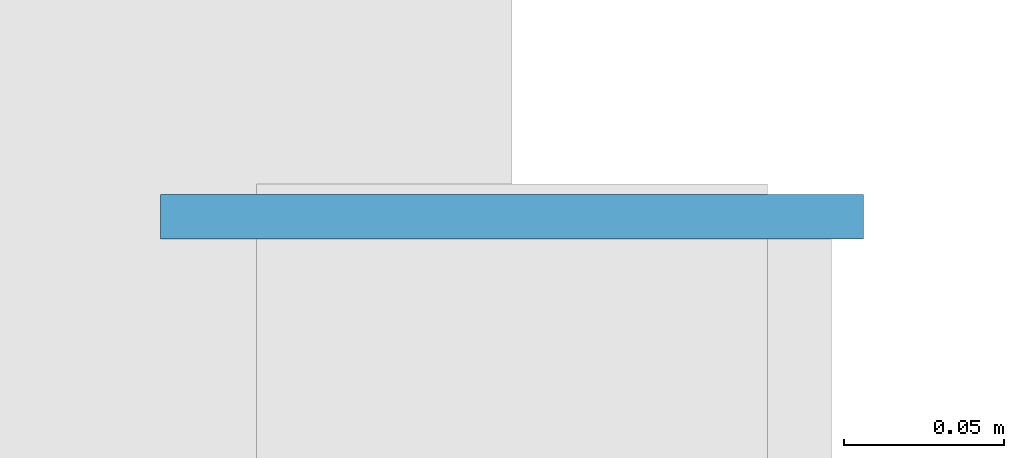
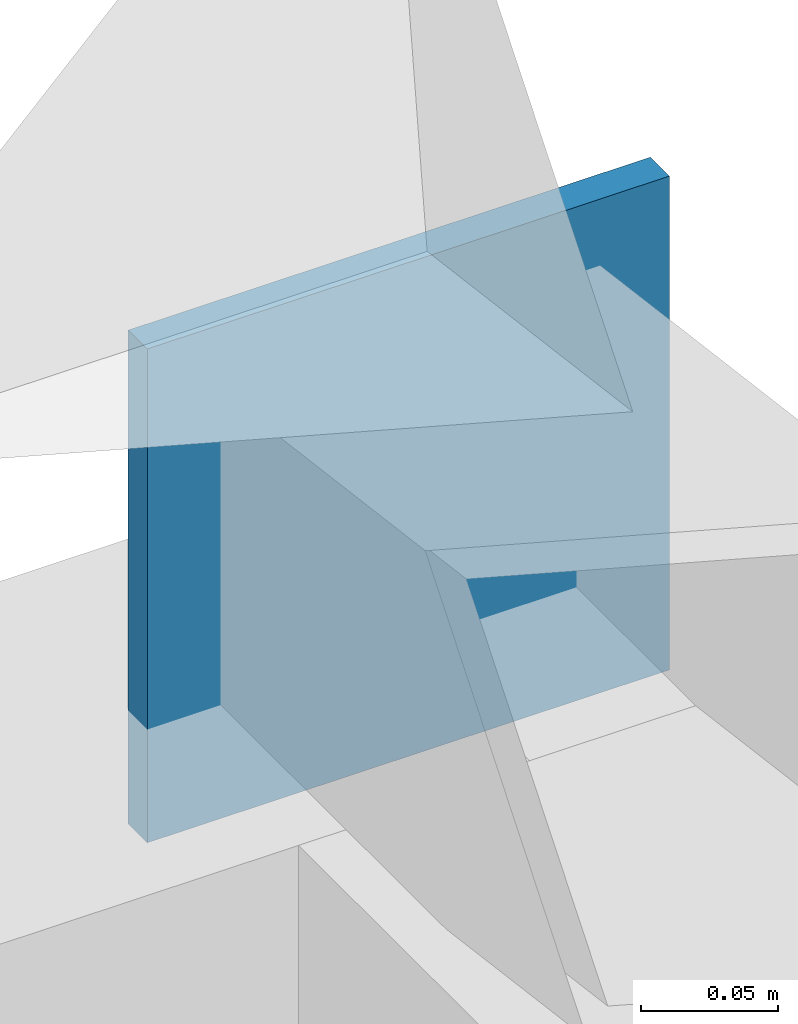
# One storey, part 33 of 45: 1 plate.
"""IFC4 building model written with IfcOpenShell, lengths in metres."""

from ifc_helpers import new_model, si_unit, direction, frame, origin, origin_2d, place, context, subcontext, project, spatial, rectangle, extrude, material, layer, layer_set, type_object, element, save


model = new_model("IFC4")

# Units and contexts
model_context = context("Model", 3, precision=1e-05, world=origin(), true_north=direction((0.0, 1.0)))
body_context = subcontext(model_context, "Body", "Model", "MODEL_VIEW")
ifc_project = project(units=[si_unit("LENGTHUNIT", "METRE"), si_unit("AREAUNIT", "SQUARE_METRE"), si_unit("VOLUMEUNIT", "CUBIC_METRE"), si_unit("PLANEANGLEUNIT", "RADIAN"), si_unit("MASSUNIT", "GRAM", prefix="KILO")], contexts=[model_context])

# Site, building, storey
site_placement = place(None, origin())
site = spatial("IfcSite", under=ifc_project, at=site_placement, CompositionType="ELEMENT")
building_placement = place(site_placement, origin())
building = spatial("IfcBuilding", under=site, at=building_placement, Name="Celorna Specialist Clinic", CompositionType="ELEMENT")
storey_placement = place(building_placement, frame((0.0, 0.0, 18.60009765625)))
storey = spatial("IfcBuildingStorey", under=building, at=storey_placement, Name="L04", CompositionType="ELEMENT", Elevation=18.60009765625)

# Plate
ifc_material = material(Name="Steel S355", Category="steel")
ifc_layer = layer(ifc_material, 0.01611328125, Name="Steel S355")
ifc_layer_set = layer_set([ifc_layer], Name="Steel S355")
plate_type = type_object("IfcPlateType", Name="EP-04", PredefinedType="SHEET", material=ifc_layer_set)
plate_placement = place(storey_placement, frame((132.60009765625, 116.0, -0.31201171875), z_axis=(0.0, 0.0, 1.0), x_axis=(1.0, 0.0, 0.0)))
element("IfcPlate", 1, at=plate_placement, inside=storey, type_object=plate_type, Name="Rafter chord cap plate ROOF-V4-MID-N", PredefinedType="SHEET", context=body_context, shape_type="SweptSolid", body=[
    extrude(rectangle(XDim=0.219970703125, YDim=0.013916015625, at=origin_2d()), origin(), (0.0, 0.0, 1.0), 0.219970703125),
])

save(model, "model.ifc")
